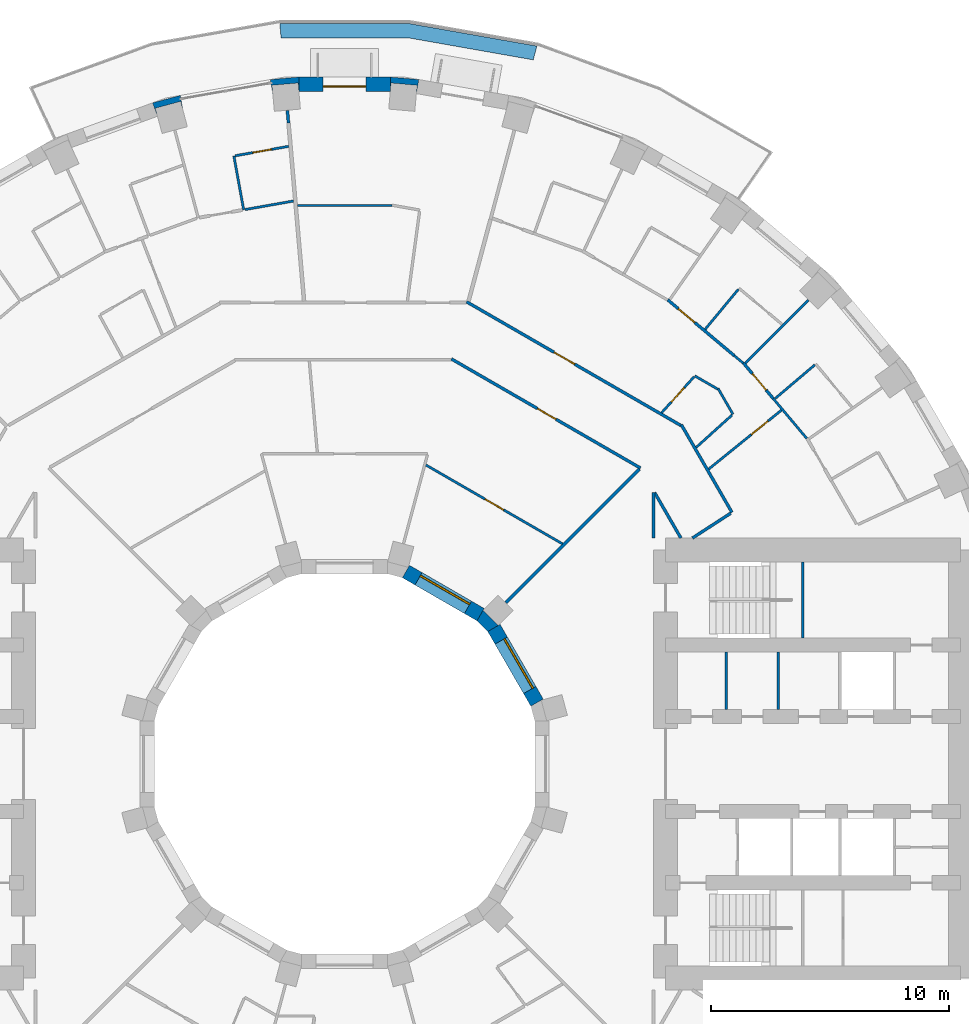
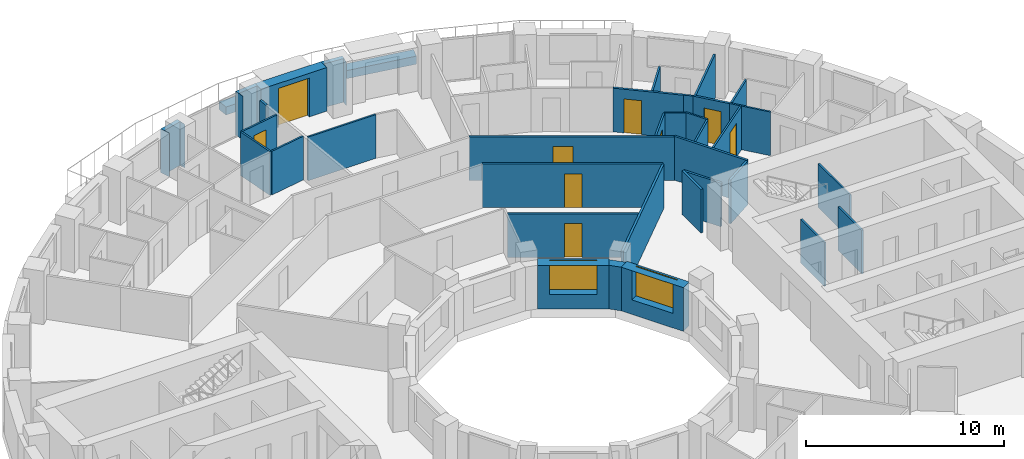
# One storey, part 12 of 15: 36 walls, 9 doors, 2 windows, 11 openings.
"""IFC4 building model written with IfcOpenShell, lengths in metres."""

from ifc_helpers import new_model, si_unit, direction, frame, frame_2d, origin, place, context, subcontext, project, spatial, polyline, rectangle, outline, extrude, material, layer, layer_set, type_object, element, fill, save


model = new_model("IFC4")

# Units and contexts
model_context = context("Model", 3, precision=1e-05, world=origin(), true_north=direction((0.0, 1.0)))
body_context = subcontext(model_context, "Body", "Model", "MODEL_VIEW")
ifc_project = project(units=[si_unit("LENGTHUNIT", "METRE"), si_unit("AREAUNIT", "SQUARE_METRE"), si_unit("VOLUMEUNIT", "CUBIC_METRE"), si_unit("PLANEANGLEUNIT", "RADIAN"), si_unit("MASSUNIT", "GRAM", prefix="KILO")], contexts=[model_context])

# Site, building, storey
site_placement = place(None, origin())
site = spatial("IfcSite", under=ifc_project, at=site_placement, CompositionType="ELEMENT")
building_placement = place(site_placement, origin())
building = spatial("IfcBuilding", under=site, at=building_placement, Name="Saqina Gate Tower", CompositionType="ELEMENT")
storey_placement = place(building_placement, frame((0.0, 0.0, 79.10009765625)))
storey = spatial("IfcBuildingStorey", under=building, at=storey_placement, Name="L22", CompositionType="ELEMENT", Elevation=79.10009765625)

# Walls
ifc_material_1 = material(Name="Brick masonry (red)", Category="masonry")
wall_type_1 = type_object("IfcWallType", Name="BRICK PIER COPING RED", PredefinedType="SOLIDWALL", material=ifc_material_1)
wall_1_placement = place(storey_placement, origin())
element("IfcWall", 1, at=wall_1_placement, inside=storey, type_object=wall_type_1, Name="Pier cap L22 column 9", PredefinedType="SOLIDWALL", context=body_context, shape_type="SweptSolid", body=[
    extrude(outline(polyline([(3.122802734375, 28.78466796875), (1.9228515625, 28.8896484375), (1.9228515625, 28.28955078125), (1.95361328125, 28.638671875), (3.04931640625, 28.54296875), (3.018798828125, 28.19384765625), (3.122802734375, 28.78466796875)])), origin(), (0.0, 0.0, 1.0), 2.699951171875),
])
wall_2_placement = place(storey_placement, origin())
element("IfcWall", 2, at=wall_2_placement, inside=storey, type_object=wall_type_1, Name="Pier cap L22 column 10", PredefinedType="SOLIDWALL", context=body_context, shape_type="SweptSolid", body=[
    extrude(outline(polyline([(-1.9228515625, 28.8896484375), (-3.122802734375, 28.78466796875), (-3.018798828125, 28.19384765625), (-3.04931640625, 28.54296875), (-1.95361328125, 28.638671875), (-1.9228515625, 28.28955078125), (-1.9228515625, 28.8896484375)])), origin(), (0.0, 0.0, 1.0), 2.699951171875),
])
wall_3_placement = place(storey_placement, origin())
element("IfcWall", 3, at=wall_3_placement, inside=storey, type_object=wall_type_1, Name="Pier cap L22 column 11", PredefinedType="SOLIDWALL", context=body_context, shape_type="SweptSolid", body=[
    extrude(outline(polyline([(-6.910400390625, 28.11669921875), (-8.073974609375, 27.80517578125), (-7.86865234375, 27.2412109375), (-7.95947265625, 27.57958984375), (-6.896728515625, 27.864501953125), (-6.80615234375, 27.52587890625), (-6.910400390625, 28.11669921875)])), origin(), (0.0, 0.0, 1.0), 2.699951171875),
])
ifc_material_2 = material(Name="Gypsum board on steel studs", Category="steel")
ifc_layer_1 = layer(ifc_material_2, 0.10009765625)
ifc_layer_set_1 = layer_set([ifc_layer_1], Name="CORE PARTITION")
wall_type_2 = type_object("IfcWallType", Name="CORE PARTITION", PredefinedType="PARTITIONING", material=ifc_layer_set_1)
for number, where, z_axis, x_axis, name in (
    (4, (16.052001953125, 2.300048828125, 0.0), (0.0, 0.0, 1.0), (0.0, 1.0, 0.0), "L22-CP-E01"),
    (5, (18.24072265625, 2.300048828125, 0.0), (0.0, 0.0, 1.0), (0.0, 1.0, 0.0), "L22-CP-E02"),
):
    element("IfcWall", number, at=place(storey_placement, frame(where, z_axis=z_axis, x_axis=x_axis)), inside=storey, type_object=wall_type_2, Name=name, PredefinedType="PARTITIONING", context=body_context, shape_type="SweptSolid", body=[
        extrude(rectangle(XDim=2.39990234375, YDim=0.10009765625, at=frame_2d((1.199951171875, 0.0))), origin(), (0.0, 0.0, 1.0), 2.699951171875),
    ])

# Wall, opening, door
ifc_material_3 = material(Name="Brick masonry (red)", Category="masonry")
ifc_layer_2 = layer(ifc_material_3, 0.60009765625)
ifc_layer_set_2 = layer_set([ifc_layer_2], Name="FW-BRICK-RED")
wall_type_3 = type_object("IfcWallType", Name="FW-BRICK-RED", PredefinedType="SOLIDWALL", material=ifc_layer_set_2)
wall_4_placement = place(storey_placement, frame((1.9228515625, 28.589599609375, 0.0), z_axis=(0.0, 0.0, 1.0), x_axis=(-1.0, 0.0, 0.0)))
wall_4 = element("IfcWall", 6, at=wall_4_placement, inside=storey, type_object=wall_type_3, Name="Facade wall L22 facet 9", PredefinedType="SOLIDWALL", context=body_context, shape_type="SweptSolid", body=[
    extrude(rectangle(XDim=3.845703125, YDim=0.60009765625, at=frame_2d((1.9228515625, 0.0))), origin(), (0.0, 0.0, 1.0), 2.699951171875),
])
opening_1_placement = place(wall_4_placement, frame((1.02294921875, 0.0, 0.0)))
opening_1 = element("IfcOpeningElement", 7, at=opening_1_placement, cuts=wall_4, Name="Opening G06-D81", PredefinedType="OPENING", context=body_context, shape_type="SweptSolid", body=[
    extrude(rectangle(XDim=1.800048828125, YDim=2.39990234375, at=frame_2d((0.89990234375, 1.199951171875))), frame((0.0, 0.31201171875, 0.0), z_axis=(0.0, -1.0, 0.0), x_axis=(1.0, 0.0, 0.0)), (0.0, 0.0, 1.0), 0.6240234375),
])
ifc_material_4 = material(Name="Aluminium glazing", Category="aluminium")
door_type_1 = type_object("IfcDoorType", Name="GD-A", OperationType="DOUBLE_DOOR_SINGLE_SWING", PredefinedType="DOOR", material=ifc_material_4)
door_1_placement = place(opening_1_placement, frame((1.800048828125, 0.0, 0.0), z_axis=(0.0, 0.0, 1.0), x_axis=(-1.0, 0.0, 0.0)))
door_1 = element("IfcDoor", 8, at=door_1_placement, inside=storey, type_object=door_type_1, Name="Terrace door L22 facet 9", OperationType="DOUBLE_DOOR_SINGLE_SWING", OverallHeight=2.39990234375, OverallWidth=1.800048828125, PredefinedType="DOOR", context=body_context, shape_type="SweptSolid", body=[
    extrude(rectangle(XDim=1.800048828125, YDim=2.39990234375, at=frame_2d((0.89990234375, 1.199951171875))), frame((0.0, -0.0751953125, 0.0), z_axis=(0.0, -1.0, 0.0), x_axis=(1.0, 0.0, 0.0)), (0.0, 0.0, 1.0), 0.050048828125),
])
fill(opening_1, door_1)

# Wall, opening, window
ifc_material_5 = material(Name="Glazed ceramic tile", Category="ceramic")
ifc_layer_3 = layer(ifc_material_5, 0.60009765625)
ifc_layer_set_3 = layer_set([ifc_layer_3], Name="IW-TILE")
wall_type_4 = type_object("IfcWallType", Name="IW-TILE", PredefinedType="SOLIDWALL", material=ifc_layer_set_3)
wall_5_placement = place(storey_placement, frame((8.09423828125, 2.580322265625, 0.0), z_axis=(0.0, 0.0, 1.0), x_axis=(-0.499992569217, 0.866029693906, 0.0)))
wall_5 = element("IfcWall", 9, at=wall_5_placement, inside=storey, type_object=wall_type_4, Name="Well wall L22 facet 1", PredefinedType="SOLIDWALL", context=body_context, shape_type="SweptSolid", body=[
    extrude(rectangle(XDim=3.625, YDim=0.60009765625, at=frame_2d((1.8125, 0.0))), origin(), (0.0, 0.0, 1.0), 2.699951171875),
])
opening_2_placement = place(wall_5_placement, frame((0.612548828125, 0.0, 0.89990234375)))
opening_2 = element("IfcOpeningElement", 10, at=opening_2_placement, cuts=wall_5, Name="Opening G06-W23", PredefinedType="OPENING", context=body_context, shape_type="SweptSolid", body=[
    extrude(rectangle(XDim=2.39990234375, YDim=1.800048828125, at=frame_2d((1.199951171875, 0.89990234375))), frame((0.0, 0.31201171875, 0.0), z_axis=(0.0, -1.0, 0.0), x_axis=(1.0, 0.0, 0.0)), (0.0, 0.0, 1.0), 0.6240234375),
])
ifc_material_6 = material(Name="Aluminium glazing", Category="aluminium")
window_type = type_object("IfcWindowType", Name="WN-W", PartitioningType="SINGLE_PANEL", PredefinedType="WINDOW", material=ifc_material_6)
window_1_placement = place(opening_2_placement, origin())
window_1 = element("IfcWindow", 11, at=window_1_placement, inside=storey, type_object=window_type, Name="Well window L22 facet 1", OverallHeight=1.800048828125, OverallWidth=2.39990234375, PartitioningType="SINGLE_PANEL", PredefinedType="WINDOW", context=body_context, shape_type="SweptSolid", body=[
    extrude(rectangle(XDim=2.39990234375, YDim=1.800048828125, at=frame_2d((1.199951171875, 0.89990234375))), frame((0.0, -0.119873046875, 0.0), z_axis=(0.0, -1.0, 0.0), x_axis=(1.0, 0.0, 0.0)), (0.0, 0.0, 1.0), 0.06005859375),
])
fill(opening_2, window_1)

wall_6_placement = place(storey_placement, frame((5.7197265625, 6.28173828125, 0.0), z_axis=(0.0, 0.0, 1.0), x_axis=(-0.866029693906, 0.499992569217, 0.0)))
wall_6 = element("IfcWall", 12, at=wall_6_placement, inside=storey, type_object=wall_type_4, Name="Well wall L22 facet 2", PredefinedType="SOLIDWALL", context=body_context, shape_type="SweptSolid", body=[
    extrude(rectangle(XDim=3.625, YDim=0.60009765625, at=frame_2d((1.8125, 0.0))), origin(), (0.0, 0.0, 1.0), 2.699951171875),
])
opening_3_placement = place(wall_6_placement, frame((0.612548828125, 0.0, 0.89990234375)))
opening_3 = element("IfcOpeningElement", 13, at=opening_3_placement, cuts=wall_6, Name="Opening G06-W24", PredefinedType="OPENING", context=body_context, shape_type="SweptSolid", body=[
    extrude(rectangle(XDim=2.39990234375, YDim=1.800048828125, at=frame_2d((1.199951171875, 0.89990234375))), frame((0.0, 0.31201171875, 0.0), z_axis=(0.0, -1.0, 0.0), x_axis=(1.0, 0.0, 0.0)), (0.0, 0.0, 1.0), 0.6240234375),
])
window_2_placement = place(opening_3_placement, origin())
window_2 = element("IfcWindow", 14, at=window_2_placement, inside=storey, type_object=window_type, Name="Well window L22 facet 2", OverallHeight=1.800048828125, OverallWidth=2.39990234375, PartitioningType="SINGLE_PANEL", PredefinedType="WINDOW", context=body_context, shape_type="SweptSolid", body=[
    extrude(rectangle(XDim=2.39990234375, YDim=1.800048828125, at=frame_2d((1.199951171875, 0.89990234375))), frame((0.0, -0.119873046875, 0.0), z_axis=(0.0, -1.0, 0.0), x_axis=(1.0, 0.0, 0.0)), (0.0, 0.0, 1.0), 0.06005859375),
])
fill(opening_3, window_2)

# Walls
ifc_material_7 = material(Name="Gypsum board on steel studs, 100 mm", Category="steel")
ifc_layer_4 = layer(ifc_material_7, 0.10009765625)
ifc_layer_set_4 = layer_set([ifc_layer_4], Name="PARTITION 100")
wall_type_5 = type_object("IfcWallType", Name="PARTITION 100", PredefinedType="PARTITIONING", material=ifc_layer_set_4)
wall_7_placement = place(storey_placement, frame((-4.656005859375, 25.570068359375, 0.0), z_axis=(0.0, 0.0, 1.0), x_axis=(0.179146935465, -0.983822329241, 0.0)))
element("IfcWall", 15, at=wall_7_placement, inside=storey, type_object=wall_type_5, Name="PARTITION PW3-05", PredefinedType="PARTITIONING", context=body_context, shape_type="SweptSolid", body=[
    extrude(rectangle(XDim=2.30029296875, YDim=0.10009765625, at=frame_2d((1.150146484375, 0.0))), origin(), (0.0, 0.0, 1.0), 2.699951171875),
])
wall_8_placement = place(storey_placement, frame((15.710205078125, 15.7890625, 0.0), z_axis=(0.0, 0.0, 1.0), x_axis=(0.49977889874, -0.86615301903, 0.0)))
element("IfcWall", 16, at=wall_8_placement, inside=storey, type_object=wall_type_5, Name="PARTITION PW3-22", PredefinedType="PARTITIONING", context=body_context, shape_type="SweptSolid", body=[
    extrude(rectangle(XDim=1.248046875, YDim=0.10009765625, at=frame_2d((0.6240234375, 0.0))), origin(), (0.0, 0.0, 1.0), 2.699951171875),
])
wall_9_placement = place(storey_placement, frame((18.02978515625, 15.3671875, 0.0), z_axis=(0.0, 0.0, 1.0), x_axis=(0.643027558302, -0.765843038268, 0.0)))
element("IfcWall", 17, at=wall_9_placement, inside=storey, type_object=wall_type_5, Name="PARTITION PW3-31", PredefinedType="PARTITIONING", context=body_context, shape_type="SweptSolid", body=[
    extrude(rectangle(XDim=2.192626953125, YDim=0.10009765625, at=frame_2d((1.09619140625, 0.0))), origin(), (0.0, 0.0, 1.0), 2.699951171875),
])
wall_10_placement = place(storey_placement, frame((16.384765625, 17.17626953125, 0.0), z_axis=(0.0, 0.0, 1.0), x_axis=(0.765810824784, -0.643065922472, 0.0)))
element("IfcWall", 18, at=wall_10_placement, inside=storey, type_object=wall_type_5, Name="PARTITION PW3-36", PredefinedType="PARTITIONING", context=body_context, shape_type="SweptSolid", body=[
    extrude(rectangle(XDim=0.499267578125, YDim=0.10009765625, at=frame_2d((0.24951171875, 0.0))), origin(), (0.0, 0.0, 1.0), 2.699951171875),
])

# Wall, opening, door
wall_11_placement = place(storey_placement, frame((3.419189453125, 12.574951171875, 0.0), z_axis=(0.0, 0.0, 1.0), x_axis=(0.866049054344, -0.499959033792, 0.0)))
wall_11 = element("IfcWall", 19, at=wall_11_placement, inside=storey, type_object=wall_type_5, Name="PARTITION PW3-43", PredefinedType="PARTITIONING", context=body_context, shape_type="SweptSolid", body=[
    extrude(rectangle(XDim=6.64013671875, YDim=0.10009765625, at=frame_2d((3.320068359375, 0.0))), origin(), (0.0, 0.0, 1.0), 2.699951171875),
])
opening_4_placement = place(wall_11_placement, frame((2.876220703125, 0.0, 0.0)))
opening_4 = element("IfcOpeningElement", 20, at=opening_4_placement, cuts=wall_11, Name="Opening G06-D10", PredefinedType="OPENING", context=body_context, shape_type="SweptSolid", body=[
    extrude(rectangle(XDim=0.89990234375, YDim=2.10009765625, at=frame_2d((0.449951171875, 1.050048828125))), frame((0.0, 0.06201171875, 0.0), z_axis=(0.0, -1.0, 0.0), x_axis=(1.0, 0.0, 0.0)), (0.0, 0.0, 1.0), 0.1240234375),
])
ifc_material_8 = material(Name="Timber door leaf, 900 mm", Category="wood")
door_type_2 = type_object("IfcDoorType", Name="DOOR 900 TIMBER", OperationType="SINGLE_SWING_LEFT", PredefinedType="DOOR", material=ifc_material_8)
door_2_placement = place(opening_4_placement, origin())
door_2 = element("IfcDoor", 21, at=door_2_placement, inside=storey, type_object=door_type_2, Name="DOOR G06-D10", OperationType="SINGLE_SWING_RIGHT", OverallHeight=2.10009765625, OverallWidth=0.89990234375, PredefinedType="DOOR", context=body_context, shape_type="SweptSolid", body=[
    extrude(rectangle(XDim=0.89990234375, YDim=2.10009765625, at=frame_2d((0.449951171875, 1.050048828125))), frame((0.0, 0.02490234375, 0.0), z_axis=(0.0, -1.0, 0.0), x_axis=(1.0, 0.0, 0.0)), (0.0, 0.0, 1.0), 0.050048828125),
])
fill(opening_4, door_2)

# Walls
wall_12_placement = place(storey_placement, frame((14.73193359375, 16.320068359375, 0.0), z_axis=(0.0, 0.0, 1.0), x_axis=(0.866156364877, -0.499773100099, 0.0)))
element("IfcWall", 22, at=wall_12_placement, inside=storey, type_object=wall_type_5, Name="PARTITION PW3-44", PredefinedType="PARTITIONING", context=body_context, shape_type="SweptSolid", body=[
    extrude(rectangle(XDim=1.11279296875, YDim=0.10009765625, at=frame_2d((0.556396484375, 0.0))), origin(), (0.0, 0.0, 1.0), 2.699951171875),
])
wall_13_placement = place(storey_placement, frame((-1.97998046875, 23.489990234375, 0.0), z_axis=(0.0, 0.0, 1.0), x_axis=(1.0, 0.0, 0.0)))
element("IfcWall", 23, at=wall_13_placement, inside=storey, type_object=wall_type_5, Name="PARTITION PW3-62", PredefinedType="PARTITIONING", context=body_context, shape_type="SweptSolid", body=[
    extrude(rectangle(XDim=3.98486328125, YDim=0.10009765625, at=frame_2d((1.992431640625, 0.0))), origin(), (0.0, 0.0, 1.0), 2.699951171875),
])
wall_14_placement = place(storey_placement, frame((-4.19482421875, 23.315673828125, 0.0), z_axis=(0.0, 0.0, 1.0), x_axis=(0.984788286148, 0.173758543574, 0.0)))
element("IfcWall", 24, at=wall_14_placement, inside=storey, type_object=wall_type_5, Name="PARTITION PW3-65", PredefinedType="PARTITIONING", context=body_context, shape_type="SweptSolid", body=[
    extrude(rectangle(XDim=2.07958984375, YDim=0.10009765625, at=frame_2d((1.039794921875, 0.0))), origin(), (0.0, 0.0, 1.0), 2.699951171875),
])

# Wall, opening, door
wall_15_placement = place(storey_placement, frame((-4.606689453125, 25.57861328125, 0.0), z_axis=(0.0, 0.0, 1.0), x_axis=(0.984796414822, 0.173712467465, 0.0)))
wall_15 = element("IfcWall", 25, at=wall_15_placement, inside=storey, type_object=wall_type_5, Name="PARTITION PW3-66", PredefinedType="PARTITIONING", context=body_context, shape_type="SweptSolid", body=[
    extrude(rectangle(XDim=2.293701171875, YDim=0.10009765625, at=frame_2d((1.14697265625, 0.0))), origin(), (0.0, 0.0, 1.0), 2.699951171875),
])
opening_5_placement = place(wall_15_placement, frame((0.759521484375, 0.0, 0.0)))
opening_5 = element("IfcOpeningElement", 26, at=opening_5_placement, cuts=wall_15, Name="Opening G06-D19", PredefinedType="OPENING", context=body_context, shape_type="SweptSolid", body=[
    extrude(rectangle(XDim=0.800048828125, YDim=2.10009765625, at=frame_2d((0.39990234375, 1.050048828125))), frame((0.0, 0.06201171875, 0.0), z_axis=(0.0, -1.0, 0.0), x_axis=(1.0, 0.0, 0.0)), (0.0, 0.0, 1.0), 0.1240234375),
])
ifc_material_9 = material(Name="Timber door leaf, 800 mm", Category="wood")
door_type_3 = type_object("IfcDoorType", Name="DOOR 800 TIMBER", OperationType="SINGLE_SWING_LEFT", PredefinedType="DOOR", material=ifc_material_9)
door_3_placement = place(opening_5_placement, origin())
door_3 = element("IfcDoor", 27, at=door_3_placement, inside=storey, type_object=door_type_3, Name="DOOR G06-D19", OperationType="SINGLE_SWING_RIGHT", OverallHeight=2.10009765625, OverallWidth=0.800048828125, PredefinedType="DOOR", context=body_context, shape_type="SweptSolid", body=[
    extrude(rectangle(XDim=0.800048828125, YDim=2.10009765625, at=frame_2d((0.39990234375, 1.050048828125))), frame((0.0, 0.02490234375, 0.0), z_axis=(0.0, -1.0, 0.0), x_axis=(1.0, 0.0, 0.0)), (0.0, 0.0, 1.0), 0.050048828125),
])
fill(opening_5, door_3)

wall_16_placement = place(storey_placement, frame((15.3134765625, 12.400390625, 0.0), z_axis=(0.0, 0.0, 1.0), x_axis=(0.777068729319, 0.629415752833, 0.0)))
wall_16 = element("IfcWall", 28, at=wall_16_placement, inside=storey, type_object=wall_type_5, Name="PARTITION PW3-86", PredefinedType="PARTITIONING", context=body_context, shape_type="SweptSolid", body=[
    extrude(rectangle(XDim=3.9384765625, YDim=0.10009765625, at=frame_2d((1.96923828125, 0.0))), origin(), (0.0, 0.0, 1.0), 2.699951171875),
])
opening_6_placement = place(wall_16_placement, frame((2.31298828125, 0.0, 0.0)))
opening_6 = element("IfcOpeningElement", 29, at=opening_6_placement, cuts=wall_16, Name="Opening G06-D04", PredefinedType="OPENING", context=body_context, shape_type="SweptSolid", body=[
    extrude(rectangle(XDim=0.89990234375, YDim=2.10009765625, at=frame_2d((0.449951171875, 1.050048828125))), frame((0.0, 0.06201171875, 0.0), z_axis=(0.0, -1.0, 0.0), x_axis=(1.0, 0.0, 0.0)), (0.0, 0.0, 1.0), 0.1240234375),
])
door_4_placement = place(opening_6_placement, origin())
door_4 = element("IfcDoor", 30, at=door_4_placement, inside=storey, type_object=door_type_2, Name="DOOR G06-D04", OperationType="SINGLE_SWING_RIGHT", OverallHeight=2.10009765625, OverallWidth=0.89990234375, PredefinedType="DOOR", context=body_context, shape_type="SweptSolid", body=[
    extrude(rectangle(XDim=0.89990234375, YDim=2.10009765625, at=frame_2d((0.449951171875, 1.050048828125))), frame((0.0, 0.02490234375, 0.0), z_axis=(0.0, -1.0, 0.0), x_axis=(1.0, 0.0, 0.0)), (0.0, 0.0, 1.0), 0.050048828125),
])
fill(opening_6, door_4)

# Walls
wall_17_placement = place(storey_placement, frame((18.109619140625, 15.369384765625, 0.0), z_axis=(0.0, 0.0, 1.0), x_axis=(0.762547505072, 0.646932224045, 0.0)))
element("IfcWall", 31, at=wall_17_placement, inside=storey, type_object=wall_type_5, Name="PARTITION PW3-92", PredefinedType="PARTITIONING", context=body_context, shape_type="SweptSolid", body=[
    extrude(rectangle(XDim=2.187744140625, YDim=0.10009765625, at=frame_2d((1.09375, 0.0))), origin(), (0.0, 0.0, 1.0), 2.699951171875),
])
wall_18_placement = place(storey_placement, frame((14.78564453125, 13.313232421875, 0.0), z_axis=(0.0, 0.0, 1.0), x_axis=(0.742995651166, 0.669296244087, 0.0)))
element("IfcWall", 32, at=wall_18_placement, inside=storey, type_object=wall_type_5, Name="PARTITION PW3-93", PredefinedType="PARTITIONING", context=body_context, shape_type="SweptSolid", body=[
    extrude(rectangle(XDim=2.033935546875, YDim=0.10009765625, at=frame_2d((1.01708984375, 0.0))), origin(), (0.0, 0.0, 1.0), 2.699951171875),
])
wall_19_placement = place(storey_placement, frame((16.859130859375, 16.859130859375, 0.0), z_axis=(0.0, 0.0, 1.0), x_axis=(0.707106781187, 0.707106781187, 0.0)))
element("IfcWall", 33, at=wall_19_placement, inside=storey, type_object=wall_type_5, Name="PARTITION PW3-95", PredefinedType="PARTITIONING", context=body_context, shape_type="SweptSolid", body=[
    extrude(rectangle(XDim=3.74755859375, YDim=0.10009765625, at=frame_2d((1.873779296875, 0.0))), origin(), (0.0, 0.0, 1.0), 2.699951171875),
])

# Wall, opening, door
wall_20_placement = place(storey_placement, frame((13.3359375, 14.7724609375, 0.0), z_axis=(0.0, 0.0, 1.0), x_axis=(0.669806399881, 0.742535781413, 0.0)))
wall_20 = element("IfcWall", 34, at=wall_20_placement, inside=storey, type_object=wall_type_5, Name="PARTITION PW3-97", PredefinedType="PARTITIONING", context=body_context, shape_type="SweptSolid", body=[
    extrude(rectangle(XDim=2.0341796875, YDim=0.10009765625, at=frame_2d((1.01708984375, 0.0))), origin(), (0.0, 0.0, 1.0), 2.699951171875),
])
opening_7_placement = place(wall_20_placement, frame((0.610595703125, 0.0, 0.0)))
opening_7 = element("IfcOpeningElement", 35, at=opening_7_placement, cuts=wall_20, Name="Opening G06-D07", PredefinedType="OPENING", context=body_context, shape_type="SweptSolid", body=[
    extrude(rectangle(XDim=0.800048828125, YDim=2.10009765625, at=frame_2d((0.39990234375, 1.050048828125))), frame((0.0, 0.06201171875, 0.0), z_axis=(0.0, -1.0, 0.0), x_axis=(1.0, 0.0, 0.0)), (0.0, 0.0, 1.0), 0.1240234375),
])
door_5_placement = place(opening_7_placement, origin())
door_5 = element("IfcDoor", 36, at=door_5_placement, inside=storey, type_object=door_type_3, Name="DOOR G06-D07", OperationType="SINGLE_SWING_LEFT", OverallHeight=2.10009765625, OverallWidth=0.800048828125, PredefinedType="DOOR", context=body_context, shape_type="SweptSolid", body=[
    extrude(rectangle(XDim=0.800048828125, YDim=2.10009765625, at=frame_2d((0.39990234375, 1.050048828125))), frame((0.0, 0.02490234375, 0.0), z_axis=(0.0, -1.0, 0.0), x_axis=(1.0, 0.0, 0.0)), (0.0, 0.0, 1.0), 0.050048828125),
])
fill(opening_7, door_5)

# Walls
wall_21_placement = place(storey_placement, frame((15.166015625, 18.281005859375, 0.0), z_axis=(0.0, 0.0, 1.0), x_axis=(0.638293924204, 0.769792742447, 0.0)))
element("IfcWall", 37, at=wall_21_placement, inside=storey, type_object=wall_type_5, Name="PARTITION PW3-100", PredefinedType="PARTITIONING", context=body_context, shape_type="SweptSolid", body=[
    extrude(rectangle(XDim=2.18701171875, YDim=0.10009765625, at=frame_2d((1.093505859375, 0.0))), origin(), (0.0, 0.0, 1.0), 2.699951171875),
])
ifc_material_10 = material(Name="Gypsum board on steel studs, 125 mm, fire rated", Category="steel")
ifc_layer_5 = layer(ifc_material_10, 0.125)
ifc_layer_set_5 = layer_set([ifc_layer_5], Name="PARTITION EI 30 125")
wall_type_6 = type_object("IfcWallType", Name="PARTITION EI 30 125", PredefinedType="PARTITIONING", material=ifc_layer_set_5)
wall_22_placement = place(storey_placement, frame((-2.404541015625, 27.485107421875, 0.0), z_axis=(0.0, 0.0, 1.0), x_axis=(0.087200931266, -0.996190743576, 0.0)))
element("IfcWall", 38, at=wall_22_placement, inside=storey, type_object=wall_type_6, Name="PARTITION PW1-01", PredefinedType="PARTITIONING", context=body_context, shape_type="SweptSolid", body=[
    extrude(rectangle(XDim=0.53466796875, YDim=0.125, at=frame_2d((0.267333984375, 0.0))), origin(), (0.0, 0.0, 1.0), 2.699951171875),
])
wall_23_placement = place(storey_placement, frame((13.0400390625, 11.413818359375, 0.0), z_axis=(0.0, 0.0, 1.0), x_axis=(0.500012531179, -0.866018168784, 0.0)))
element("IfcWall", 39, at=wall_23_placement, inside=storey, type_object=wall_type_6, Name="PARTITION PW1-07", PredefinedType="PARTITIONING", context=body_context, shape_type="SweptSolid", body=[
    extrude(rectangle(XDim=2.2099609375, YDim=0.125, at=frame_2d((1.10498046875, 0.0))), origin(), (0.0, 0.0, 1.0), 2.699951171875),
])
wall_24_placement = place(storey_placement, frame((14.166015625, 14.264404296875, 0.0), z_axis=(0.0, 0.0, 1.0), x_axis=(0.499965871761, -0.866045106836, 0.0)))
element("IfcWall", 40, at=wall_24_placement, inside=storey, type_object=wall_type_6, Name="PARTITION PW1-08", PredefinedType="PARTITIONING", context=body_context, shape_type="SweptSolid", body=[
    extrude(rectangle(XDim=4.254150390625, YDim=0.125, at=frame_2d((2.126953125, 0.0))), origin(), (0.0, 0.0, 1.0), 2.699951171875),
])

# Wall, opening, door
wall_25_placement = place(storey_placement, frame((16.774169921875, 16.863525390625, 0.0), z_axis=(0.0, 0.0, 1.0), x_axis=(0.642799224464, -0.766034697013, 0.0)))
wall_25 = element("IfcWall", 41, at=wall_25_placement, inside=storey, type_object=wall_type_6, Name="PARTITION PW1-11", PredefinedType="PARTITIONING", context=body_context, shape_type="SweptSolid", body=[
    extrude(rectangle(XDim=1.953369140625, YDim=0.125, at=frame_2d((0.9765625, 0.0))), origin(), (0.0, 0.0, 1.0), 2.699951171875),
])
opening_8_placement = place(wall_25_placement, frame((0.58349609375, 0.0, 0.0)))
opening_8 = element("IfcOpeningElement", 42, at=opening_8_placement, cuts=wall_25, Name="Opening G06-D05", PredefinedType="OPENING", context=body_context, shape_type="SweptSolid", body=[
    extrude(rectangle(XDim=0.89990234375, YDim=2.10009765625, at=frame_2d((0.449951171875, 1.050048828125))), frame((0.0, 0.074462890625, 0.0), z_axis=(0.0, -1.0, 0.0), x_axis=(1.0, 0.0, 0.0)), (0.0, 0.0, 1.0), 0.14892578125),
])
ifc_material_11 = material(Name="Fire door leaf EI 30, 900 mm")
door_type_4 = type_object("IfcDoorType", Name="DOOR 900 EI 30", OperationType="SINGLE_SWING_LEFT", PredefinedType="DOOR", material=ifc_material_11)
door_6_placement = place(opening_8_placement, frame((0.89990234375, 0.0, 0.0), z_axis=(0.0, 0.0, 1.0), x_axis=(-1.0, 0.0, 0.0)))
door_6 = element("IfcDoor", 43, at=door_6_placement, inside=storey, type_object=door_type_4, Name="DOOR G06-D05", OperationType="SINGLE_SWING_RIGHT", OverallHeight=2.10009765625, OverallWidth=0.89990234375, PredefinedType="DOOR", context=body_context, shape_type="SweptSolid", body=[
    extrude(rectangle(XDim=0.89990234375, YDim=2.10009765625, at=frame_2d((0.449951171875, 1.050048828125))), frame((0.0, 0.02490234375, 0.0), z_axis=(0.0, -1.0, 0.0), x_axis=(1.0, 0.0, 0.0)), (0.0, 0.0, 1.0), 0.050048828125),
])
fill(opening_8, door_6)

wall_26_placement = place(storey_placement, frame((13.59130859375, 19.520751953125, 0.0), z_axis=(0.0, 0.0, 1.0), x_axis=(0.766038413404, -0.642794795552, 0.0)))
wall_26 = element("IfcWall", 44, at=wall_26_placement, inside=storey, type_object=wall_type_6, Name="PARTITION PW1-17", PredefinedType="PARTITIONING", context=body_context, shape_type="SweptSolid", body=[
    extrude(rectangle(XDim=3.64697265625, YDim=0.125, at=frame_2d((1.823486328125, 0.0))), origin(), (0.0, 0.0, 1.0), 2.699951171875),
])
opening_9_placement = place(wall_26_placement, frame((0.58349609375, 0.0, 0.0)))
opening_9 = element("IfcOpeningElement", 45, at=opening_9_placement, cuts=wall_26, Name="Opening G06-D08", PredefinedType="OPENING", context=body_context, shape_type="SweptSolid", body=[
    extrude(rectangle(XDim=0.89990234375, YDim=2.10009765625, at=frame_2d((0.449951171875, 1.050048828125))), frame((0.0, 0.074462890625, 0.0), z_axis=(0.0, -1.0, 0.0), x_axis=(1.0, 0.0, 0.0)), (0.0, 0.0, 1.0), 0.14892578125),
])
door_7_placement = place(opening_9_placement, frame((0.89990234375, 0.0, 0.0), z_axis=(0.0, 0.0, 1.0), x_axis=(-1.0, 0.0, 0.0)))
door_7 = element("IfcDoor", 46, at=door_7_placement, inside=storey, type_object=door_type_4, Name="DOOR G06-D08", OperationType="SINGLE_SWING_RIGHT", OverallHeight=2.10009765625, OverallWidth=0.89990234375, PredefinedType="DOOR", context=body_context, shape_type="SweptSolid", body=[
    extrude(rectangle(XDim=0.89990234375, YDim=2.10009765625, at=frame_2d((0.449951171875, 1.050048828125))), frame((0.0, 0.02490234375, 0.0), z_axis=(0.0, -1.0, 0.0), x_axis=(1.0, 0.0, 0.0)), (0.0, 0.0, 1.0), 0.050048828125),
])
fill(opening_9, door_7)

wall_27_placement = place(storey_placement, frame((4.492431640625, 17.0361328125, 0.0), z_axis=(0.0, 0.0, 1.0), x_axis=(0.866043911468, -0.499967942382, 0.0)))
wall_27 = element("IfcWall", 47, at=wall_27_placement, inside=storey, type_object=wall_type_6, Name="PARTITION PW1-24", PredefinedType="PARTITIONING", context=body_context, shape_type="SweptSolid", body=[
    extrude(rectangle(XDim=9.1826171875, YDim=0.125, at=frame_2d((4.59130859375, 0.0))), origin(), (0.0, 0.0, 1.0), 2.699951171875),
])
opening_10_placement = place(wall_27_placement, frame((4.177490234375, 0.0, 0.0)))
opening_10 = element("IfcOpeningElement", 48, at=opening_10_placement, cuts=wall_27, Name="Opening G06-D11", PredefinedType="OPENING", context=body_context, shape_type="SweptSolid", body=[
    extrude(rectangle(XDim=0.89990234375, YDim=2.10009765625, at=frame_2d((0.449951171875, 1.050048828125))), frame((0.0, 0.074462890625, 0.0), z_axis=(0.0, -1.0, 0.0), x_axis=(1.0, 0.0, 0.0)), (0.0, 0.0, 1.0), 0.14892578125),
])
door_8_placement = place(opening_10_placement, frame((0.89990234375, 0.0, 0.0), z_axis=(0.0, 0.0, 1.0), x_axis=(-1.0, 0.0, 0.0)))
door_8 = element("IfcDoor", 49, at=door_8_placement, inside=storey, type_object=door_type_4, Name="DOOR G06-D11", OperationType="SINGLE_SWING_LEFT", OverallHeight=2.10009765625, OverallWidth=0.89990234375, PredefinedType="DOOR", context=body_context, shape_type="SweptSolid", body=[
    extrude(rectangle(XDim=0.89990234375, YDim=2.10009765625, at=frame_2d((0.449951171875, 1.050048828125))), frame((0.0, 0.02490234375, 0.0), z_axis=(0.0, -1.0, 0.0), x_axis=(1.0, 0.0, 0.0)), (0.0, 0.0, 1.0), 0.050048828125),
])
fill(opening_10, door_8)

wall_28_placement = place(storey_placement, frame((5.135498046875, 19.43603515625, 0.0), z_axis=(0.0, 0.0, 1.0), x_axis=(0.866044554194, -0.499966829051, 0.0)))
wall_28 = element("IfcWall", 50, at=wall_28_placement, inside=storey, type_object=wall_type_6, Name="PARTITION PW1-25", PredefinedType="PARTITIONING", context=body_context, shape_type="SweptSolid", body=[
    extrude(rectangle(XDim=10.406494140625, YDim=0.125, at=frame_2d((5.203125, 0.0))), origin(), (0.0, 0.0, 1.0), 2.699951171875),
])
opening_11_placement = place(wall_28_placement, frame((4.246337890625, 0.0, 0.0)))
opening_11 = element("IfcOpeningElement", 51, at=opening_11_placement, cuts=wall_28, Name="Opening G06-D12", PredefinedType="OPENING", context=body_context, shape_type="SweptSolid", body=[
    extrude(rectangle(XDim=1.0, YDim=2.10009765625, at=frame_2d((0.5, 1.050048828125))), frame((0.0, 0.074462890625, 0.0), z_axis=(0.0, -1.0, 0.0), x_axis=(1.0, 0.0, 0.0)), (0.0, 0.0, 1.0), 0.14892578125),
])
ifc_material_12 = material(Name="Fire door leaf EI 30, 1000 mm")
door_type_5 = type_object("IfcDoorType", Name="DOOR 1000 EI 30", OperationType="SINGLE_SWING_LEFT", PredefinedType="DOOR", material=ifc_material_12)
door_9_placement = place(opening_11_placement, origin())
door_9 = element("IfcDoor", 52, at=door_9_placement, inside=storey, type_object=door_type_5, Name="DOOR G06-D12", OperationType="SINGLE_SWING_LEFT", OverallHeight=2.10009765625, OverallWidth=1.0, PredefinedType="DOOR", context=body_context, shape_type="SweptSolid", body=[
    extrude(rectangle(XDim=1.0, YDim=2.10009765625, at=frame_2d((0.5, 1.050048828125))), frame((0.0, 0.02490234375, 0.0), z_axis=(0.0, -1.0, 0.0), x_axis=(1.0, 0.0, 0.0)), (0.0, 0.0, 1.0), 0.050048828125),
])
fill(opening_11, door_9)

# Walls
wall_29_placement = place(storey_placement, frame((14.62890625, 9.5, 0.0), z_axis=(0.0, 0.0, 1.0), x_axis=(0.838829547553, 0.544394149631, 0.0)))
element("IfcWall", 53, at=wall_29_placement, inside=storey, type_object=wall_type_6, Name="PARTITION PW1-50", PredefinedType="PARTITIONING", context=body_context, shape_type="SweptSolid", body=[
    extrude(rectangle(XDim=1.921142578125, YDim=0.125, at=frame_2d((0.96044921875, 0.0))), origin(), (0.0, 0.0, 1.0), 2.699951171875),
])
wall_30_placement = place(storey_placement, frame((6.78271484375, 6.78271484375, 0.0), z_axis=(0.0, 0.0, 1.0), x_axis=(0.707106781187, 0.707106781187, 0.0)))
element("IfcWall", 54, at=wall_30_placement, inside=storey, type_object=wall_type_6, Name="PARTITION PW1-54", PredefinedType="PARTITIONING", context=body_context, shape_type="SweptSolid", body=[
    extrude(rectangle(XDim=7.9453125, YDim=0.125, at=frame_2d((3.97265625, 0.0))), origin(), (0.0, 0.0, 1.0), 2.699951171875),
])
wall_31_placement = place(storey_placement, frame((13.0, 9.5, 0.0), z_axis=(0.0, 0.0, 1.0), x_axis=(0.0, 1.0, 0.0)))
element("IfcWall", 55, at=wall_31_placement, inside=storey, type_object=wall_type_6, Name="PARTITION PW1-61", PredefinedType="PARTITIONING", context=body_context, shape_type="SweptSolid", body=[
    extrude(rectangle(XDim=1.92041015625, YDim=0.125, at=frame_2d((0.960205078125, 0.0))), origin(), (0.0, 0.0, 1.0), 2.699951171875),
])
ifc_material_13 = material(Name="Brick masonry (red)", Category="masonry")
ifc_layer_6 = layer(ifc_material_13, 0.60009765625)
ifc_layer_set_6 = layer_set([ifc_layer_6], Name="PL-PLANTER")
wall_type_7 = type_object("IfcWallType", Name="PL-PLANTER", PredefinedType="PARAPET", material=ifc_layer_set_6)
wall_32_placement = place(storey_placement, origin())
element("IfcWall", 56, at=wall_32_placement, inside=storey, type_object=wall_type_7, Name="Planter L22", PredefinedType="PARAPET", context=body_context, shape_type="SweptSolid", body=[
    extrude(outline(polyline([(8.09033203125, 30.193603515625), (2.724365234375, 31.1396484375), (-2.724365234375, 31.1396484375), (-2.671875, 30.53955078125), (2.671875, 30.53955078125), (7.934326171875, 29.61181640625), (8.09033203125, 30.193603515625)])), origin(), (0.0, 0.0, 1.0), 0.5),
])
ifc_material_14 = material(Name="Autoclaved aerated concrete block", Category="concrete")
ifc_layer_7 = layer(ifc_material_14, 0.10009765625)
ifc_layer_set_7 = layer_set([ifc_layer_7], Name="STAIR ENCLOSURE WALL")
wall_type_8 = type_object("IfcWallType", Name="STAIR ENCLOSURE WALL", PredefinedType="PARTITIONING", material=ifc_layer_set_7)
wall_33_placement = place(storey_placement, frame((19.27001953125, 5.300048828125, 0.0), z_axis=(0.0, 0.0, 1.0), x_axis=(0.0, 1.0, 0.0)))
element("IfcWall", 57, at=wall_33_placement, inside=storey, type_object=wall_type_8, Name="L22-CP-E10", PredefinedType="PARTITIONING", context=body_context, shape_type="SweptSolid", body=[
    extrude(rectangle(XDim=3.199951171875, YDim=0.10009765625, at=frame_2d((1.60009765625, 0.0))), origin(), (0.0, 0.0, 1.0), 2.699951171875),
])
ifc_material_15 = material(Name="Glazed ceramic tile", Category="ceramic")
wall_type_9 = type_object("IfcWallType", Name="TILE PIER COPING", PredefinedType="SOLIDWALL", material=ifc_material_15)
wall_34_placement = place(storey_placement, origin())
element("IfcWall", 58, at=wall_34_placement, inside=storey, type_object=wall_type_9, Name="Well pier cap L22 column 2", PredefinedType="SOLIDWALL", context=body_context, shape_type="SweptSolid", body=[
    extrude(outline(polyline([(5.821044921875, 6.45751953125), (5.569580078125, 6.02197265625), (6.02197265625, 5.569580078125), (6.45751953125, 5.821044921875), (5.821044921875, 6.45751953125)])), origin(), (0.0, 0.0, 1.0), 2.699951171875),
])

save(model, "model.ifc")
